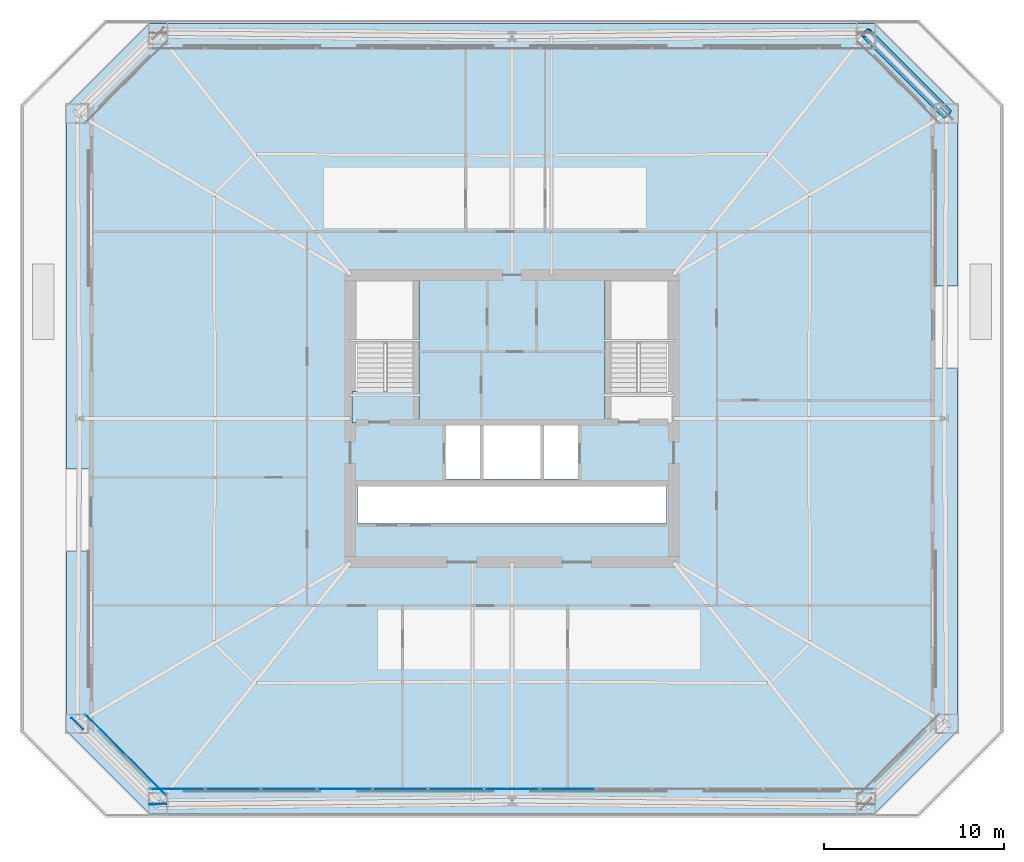
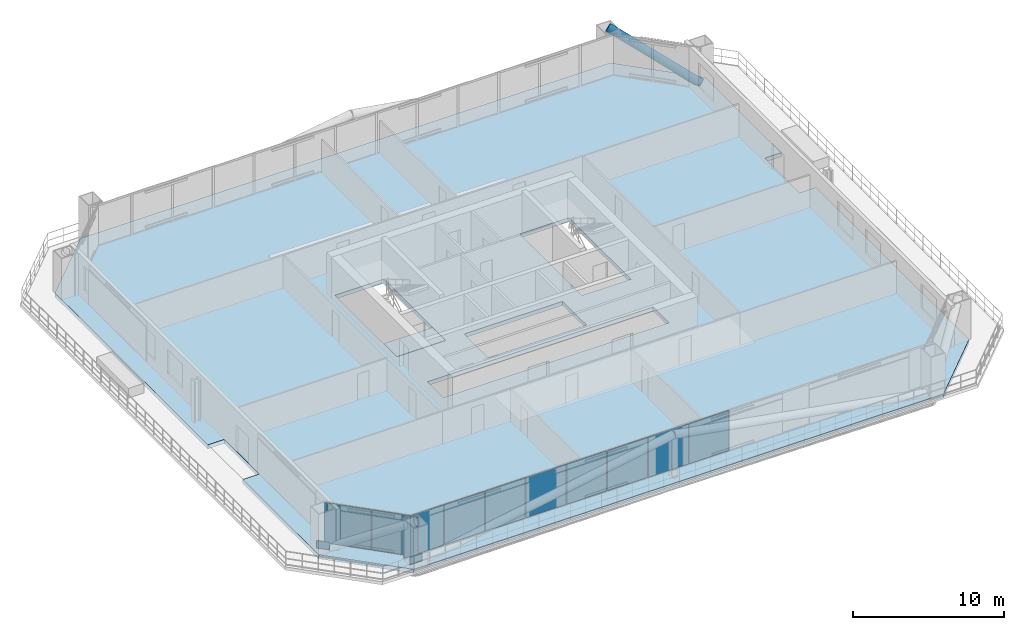
# One storey, part 26 of 34: 12 plates, 2 slabs, 1 member, 3 elements without a shape of their own.
"""IFC4 building model written with IfcOpenShell, lengths in metres."""

import ifcopenshell
import ifcopenshell.guid

model = None  # the IFC model being written
_history = None  # IfcOwnerHistory: only IFC2X3 demands one
_inside = {}  # id of a spatial element -> (the spatial element, [elements in it])
_under = {}  # id of a project, library or spatial element -> (it, [spatial elements below it])
_declared = {}  # id of a project -> (the project, [libraries it declares])
_typed = {}  # id of a type object -> (the type object, [elements of that type])
_made_of = {}  # id of a material, layer set ... -> (it, [elements and type objects made of it])


def new_model(schema):
    """Start an empty IFC model of exactly this schema.

    Asked for "IFC4X3", IfcOpenShell would pick the latest addendum, in which some entities
    have other attributes; the version numbers below select the first issue.
    IFC2X3 requires an IfcOwnerHistory on every rooted entity: one is made here for all.
    """
    global model, _history
    if schema == "IFC4X3":
        model = ifcopenshell.file(schema_version=(4, 3, 0, 0))
    else:
        model = ifcopenshell.file(schema=schema)
    _inside.clear()
    _under.clear()
    _declared.clear()
    _typed.clear()
    _made_of.clear()
    _history = None
    if model.schema == "IFC2X3":
        org = make("IfcOrganization", Name="unknown")
        user = make(
            "IfcPersonAndOrganization",
            ThePerson=make("IfcPerson", FamilyName="unknown"),
            TheOrganization=org,
        )
        app = make(
            "IfcApplication",
            ApplicationDeveloper=org,
            Version="unknown",
            ApplicationFullName="unknown",
            ApplicationIdentifier="unknown",
        )
        _history = make(
            "IfcOwnerHistory",
            OwningUser=user,
            OwningApplication=app,
            ChangeAction="ADDED",
            CreationDate=0,
        )
    return model


def make(cls, **values):
    """One entity of the class cls with the attributes given. An attribute that is None is left unset."""
    return model.create_entity(
        cls, **{name: value for name, value in values.items() if value is not None}
    )


def rooted(cls, **values):
    """An entity with a GlobalId (a new one), such as an element, a storey or a relation."""
    return make(cls, GlobalId=ifcopenshell.guid.new(), OwnerHistory=_history, **values)


def si_unit(unit_type, name, prefix=None):
    """IfcSIUnit, for example si_unit("LENGTHUNIT", "METRE", prefix="MILLI")."""
    return make("IfcSIUnit", UnitType=unit_type, Prefix=prefix, Name=name)


def assignment(units):
    """IfcUnitAssignment: the units of a project."""
    return None if units is None else make("IfcUnitAssignment", Units=units)


def point(xyz):
    """IfcCartesianPoint."""
    return None if xyz is None else make("IfcCartesianPoint", Coordinates=xyz)


def direction(xyz):
    """IfcDirection."""
    return None if xyz is None else make("IfcDirection", DirectionRatios=xyz)


def frame(location, z_axis=None, x_axis=None):
    """IfcAxis2Placement3D, a coordinate frame: its origin and axes. An axis left out is left unset."""
    return make(
        "IfcAxis2Placement3D",
        Location=point(location),
        Axis=direction(z_axis),
        RefDirection=direction(x_axis),
    )


def frame_2d(location, x_axis=None):
    """IfcAxis2Placement2D, a coordinate frame in the plane: its origin and x axis."""
    return make(
        "IfcAxis2Placement2D", Location=point(location), RefDirection=direction(x_axis)
    )


def origin():
    """The frame at (0, 0, 0) with its axes left unset."""
    return frame((0.0, 0.0, 0.0))


def origin_2d():
    """The frame at (0, 0) in the plane with its x axis left unset."""
    return frame_2d((0.0, 0.0))


def place(relative_to, where):
    """IfcLocalPlacement: puts the frame where relative to a parent placement (None: the world)."""
    return make(
        "IfcLocalPlacement", PlacementRelTo=relative_to, RelativePlacement=where
    )


def context(
    kind, dimensions, precision=None, world=None, true_north=None, identifier=None
):
    """IfcGeometricRepresentationContext, for example the 3D "Model" context."""
    return make(
        "IfcGeometricRepresentationContext",
        ContextIdentifier=identifier,
        ContextType=kind,
        CoordinateSpaceDimension=dimensions,
        Precision=precision,
        WorldCoordinateSystem=world,
        TrueNorth=true_north,
    )


def subcontext(parent, identifier, kind, view, scale=None):
    """IfcGeometricRepresentationSubContext, for example "Body" below "Model"."""
    return make(
        "IfcGeometricRepresentationSubContext",
        ContextIdentifier=identifier,
        ContextType=kind,
        ParentContext=parent,
        TargetScale=scale,
        TargetView=view,
    )


def project(units=None, contexts=None):
    """IfcProject with its units and contexts."""
    return rooted(
        "IfcProject",
        Name="project",
        RepresentationContexts=contexts,
        UnitsInContext=assignment(units),
    )


def spatial(cls, under=None, at=None, **own):
    """A site, building, storey or space (cls), placed at a placement, below another one or the project."""
    s = rooted(cls, ObjectPlacement=at, **own)
    if under is not None:
        _under.setdefault(under.id(), (under, []))[1].append(s)
    return s


def polyline(points):
    """IfcPolyline through the points."""
    return make("IfcPolyline", Points=[point(p) for p in points])


def profile(cls, at=None, kind="AREA", **sizes):
    """A parametric profile (cls). Its sizes go by their IFC names, for example OverallWidth=200.0."""
    return make(cls, ProfileType=kind, Position=at, **sizes)


def rectangle(**sizes):
    """IfcRectangleProfileDef."""
    return profile("IfcRectangleProfileDef", **sizes)


def hollow_circle(**sizes):
    """IfcCircleHollowProfileDef."""
    return profile("IfcCircleHollowProfileDef", **sizes)


def outline(outer, holes=None, kind="AREA"):
    """IfcArbitraryClosedProfileDef: a profile drawn as a closed curve; with holes, ...WithVoids."""
    if holes is None:
        return make("IfcArbitraryClosedProfileDef", ProfileType=kind, OuterCurve=outer)
    return make(
        "IfcArbitraryProfileDefWithVoids",
        ProfileType=kind,
        OuterCurve=outer,
        InnerCurves=holes,
    )


def extrude(swept, where, along, depth):
    """IfcExtrudedAreaSolid: the profile swept, set in the frame where, extruded along a direction by depth."""
    return make(
        "IfcExtrudedAreaSolid",
        SweptArea=swept,
        Position=where,
        ExtrudedDirection=direction(along),
        Depth=depth,
    )


def shape(context_of_items, identifier, shape_type, items):
    """IfcShapeRepresentation: the items that make up one representation, for example the "Body"."""
    return make(
        "IfcShapeRepresentation",
        ContextOfItems=context_of_items,
        RepresentationIdentifier=identifier,
        RepresentationType=shape_type,
        Items=items,
    )


def material(Name=None, Category=None):
    """IfcMaterial."""
    return make("IfcMaterial", Name=Name, Category=Category)


def layer(
    of_material, thickness, ventilated=None, Name=None, Category=None, Priority=None
):
    """IfcMaterialLayer: one layer of a wall or slab, of a material (None: an air gap)."""
    return make(
        "IfcMaterialLayer",
        Material=of_material,
        LayerThickness=thickness,
        IsVentilated=ventilated,
        Name=Name,
        Category=Category,
        Priority=Priority,
    )


def layer_set(layers, Name=None):
    """IfcMaterialLayerSet."""
    return make("IfcMaterialLayerSet", MaterialLayers=layers, LayerSetName=Name)


def material_profile(
    of_material, cross_section, Name=None, Category=None, Priority=None
):
    """IfcMaterialProfile: a cross section and its material."""
    return make(
        "IfcMaterialProfile",
        Name=Name,
        Material=of_material,
        Profile=cross_section,
        Priority=Priority,
        Category=Category,
    )


def profile_set(profiles, Name=None, composite=None):
    """IfcMaterialProfileSet."""
    return make(
        "IfcMaterialProfileSet",
        Name=Name,
        MaterialProfiles=profiles,
        CompositeProfile=composite,
    )


def made_of(thing, what):
    """Note that an element or type object is made of a material, layer set ...; save() writes the relation."""
    if what is not None:
        _made_of.setdefault(what.id(), (what, []))[1].append(thing)
    return thing


def type_object(cls, material=None, **own):
    """A type object (cls), such as IfcWallType, which elements share."""
    return made_of(rooted(cls, **own), material)


def element(
    cls,
    number,
    at=None,
    inside=None,
    cuts=None,
    type_object=None,
    material=None,
    context=None,
    identifier="Body",
    shape_type=None,
    held_by="IfcProductDefinitionShape",
    body=None,
    shapes=None,
    **own,
):
    """One element of the class cls, such as IfcWall. Its Tag is "e" and its number.

    at: its placement. inside: the storey or other place that contains it. cuts: it is an
    opening in that element (IfcRelVoidsElement). A single representation is given by context,
    identifier, shape_type and body (its items); several are given by shapes. held_by: the class
    of the entity that holds the representations. save() writes the other relations.
    """
    e = rooted(cls, Tag="e%d" % number, ObjectPlacement=at, **own)
    if body is not None:
        shapes = [shape(context, identifier, shape_type, body)]
    if shapes is not None:
        e.Representation = make(held_by, Representations=shapes)
    if inside is not None:
        _inside.setdefault(inside.id(), (inside, []))[1].append(e)
    if cuts is not None:
        rooted(
            "IfcRelVoidsElement", RelatingBuildingElement=cuts, RelatedOpeningElement=e
        )
    if type_object is not None:
        _typed.setdefault(type_object.id(), (type_object, []))[1].append(e)
    return made_of(e, material)


def aggregate(whole, parts):
    """IfcRelAggregates: a whole, such as a stair, and the parts it consists of."""
    return rooted("IfcRelAggregates", RelatingObject=whole, RelatedObjects=parts)


def save(model, path):
    """Write the relations noted so far, then the file.

    IfcRelAggregates (storeys below a building ...), IfcRelContainedInSpatialStructure (elements
    in a storey), IfcRelDefinesByType, IfcRelAssociatesMaterial and IfcRelDeclares: one each for
    every whole, place, type object, material and project.
    """
    for whole, parts in _under.values():
        aggregate(whole, parts)
    for where, things in _inside.values():
        rooted(
            "IfcRelContainedInSpatialStructure",
            RelatedElements=things,
            RelatingStructure=where,
        )
    for kind, things in _typed.values():
        rooted("IfcRelDefinesByType", RelatedObjects=things, RelatingType=kind)
    for what, things in _made_of.values():
        rooted("IfcRelAssociatesMaterial", RelatedObjects=things, RelatingMaterial=what)
    for by, libraries in _declared.values():
        rooted("IfcRelDeclares", RelatingContext=by, RelatedDefinitions=libraries)
    model.write(path)


model = new_model("IFC4")

# Units and contexts
model_context = context("Model", 3, precision=1e-05, world=origin(), true_north=direction((0.0, 1.0)))
body_context = subcontext(model_context, "Body", "Model", "MODEL_VIEW")
ifc_project = project(units=[si_unit("LENGTHUNIT", "METRE"), si_unit("AREAUNIT", "SQUARE_METRE"), si_unit("VOLUMEUNIT", "CUBIC_METRE"), si_unit("PLANEANGLEUNIT", "RADIAN"), si_unit("MASSUNIT", "GRAM", prefix="KILO")], contexts=[model_context])

# Site, building, storey
site_placement = place(None, origin())
site = spatial("IfcSite", under=ifc_project, at=site_placement, CompositionType="ELEMENT")
building_placement = place(site_placement, origin())
building = spatial("IfcBuilding", under=site, at=building_placement, Name="Caelvoria Tower", CompositionType="ELEMENT")
storey_placement = place(building_placement, frame((0.0, 0.0, 28.0)))
storey = spatial("IfcBuildingStorey", under=building, at=storey_placement, Name="L06", CompositionType="ELEMENT", Elevation=28.0)

# Member
ifc_material_1 = material(Name="Structural Steel ASTM A572 Gr.50", Category="steel")
ifc_material_profile = material_profile(ifc_material_1, hollow_circle(Radius=0.304931640625, WallThickness=0.02490234375, at=origin_2d()), Name="Structural Steel ASTM A572 Gr.50")
ifc_profile_set = profile_set([ifc_material_profile], Name="CHS610X25 - Structural Steel ASTM A572 Gr.50")
member_type = type_object("IfcMemberType", Name="Lower Perimeter Mega Brace CHS610X25", PredefinedType="BRACE", material=ifc_profile_set)
member_placement = place(storey_placement, frame((70.210693359375, 48.986572265625, 0.0), z_axis=(-0.626042587812, 0.623969711632, 0.467688440322), x_axis=(-0.705933226257, -0.708278391642, 0.0)))
element("IfcMember", 1, at=member_placement, inside=storey, type_object=member_type, Name="Perimeter Chamfer Mega Brace L06 NE", PredefinedType="BRACE", context=body_context, shape_type="SweptSolid", body=[
    extrude(hollow_circle(Radius=0.304931640625, WallThickness=0.02490234375, at=origin_2d()), origin(), (0.0, 0.0, 1.0), 7.1845703125),
])

# Curtain wall, plates
ifc_material_2 = material(Name="Anodised Bronze Aluminium and Low-E Glass", Category="aluminium")
ifc_layer_1 = layer(ifc_material_2, 0.18505859375, Name="Anodised Bronze Aluminium and Low-E Glass")
ifc_layer_set_1 = layer_set([ifc_layer_1], Name="CW System 2 Lower Tower Bronze Unitised Facade - Anodised Bronze Aluminium and Low-E Glass")
curtain_wall_type = type_object("IfcCurtainWallType", Name="CW System 2 Lower Tower Bronze Unitised Facade", PredefinedType="NOTDEFINED", material=ifc_layer_set_1)
curtain_wall_1_placement = place(storey_placement, origin())
curtain_wall_1 = element("IfcCurtainWall", 2, at=curtain_wall_1_placement, inside=storey, type_object=curtain_wall_type, Name="CW-02 Curtain Wall L06-E0", PredefinedType="NOTDEFINED")
ifc_material_3 = material(Name="Anodised Bronze Insulated Aluminium Panel", Category="aluminium")
ifc_layer_2 = layer(ifc_material_3, 0.031982421875, Name="Anodised Bronze Insulated Aluminium Panel")
ifc_layer_set_2 = layer_set([ifc_layer_2], Name="Insulated Bronze Spandrel Curtain Panel 32 - Anodised Bronze Insulated Aluminium Panel")
plate_type_1 = type_object("IfcPlateType", Name="Insulated Bronze Spandrel Curtain Panel 32", PredefinedType="CURTAIN_PANEL", material=ifc_layer_set_2)
plate_1_placement = place(storey_placement, frame((27.3701171875, 11.3798828125, 0.06494140625), z_axis=(0.0, 0.0, 1.0), x_axis=(1.0, 0.0, 0.0)))
plate_1 = element("IfcPlate", 3, at=plate_1_placement, type_object=plate_type_1, Name="CW-02 panel 1.1", PredefinedType="CURTAIN_PANEL", context=body_context, shape_type="SweptSolid", body=[
    extrude(rectangle(XDim=3.01025390625, YDim=0.031982421875, at=origin_2d()), origin(), (0.0, 0.0, 1.0), 3.22998046875),
])
plate_2_placement = place(storey_placement, frame((30.46142578125, 11.3798828125, 0.06494140625), z_axis=(0.0, 0.0, 1.0), x_axis=(1.0, 0.0, 0.0)))
plate_2 = element("IfcPlate", 4, at=plate_2_placement, type_object=plate_type_1, Name="CW-02 panel 2.1", PredefinedType="CURTAIN_PANEL", context=body_context, shape_type="SweptSolid", body=[
    extrude(rectangle(XDim=3.042724609375, YDim=0.031982421875, at=origin_2d()), origin(), (0.0, 0.0, 1.0), 3.22998046875),
])
plate_3_placement = place(storey_placement, frame((33.5693359375, 11.3798828125, 0.06494140625), z_axis=(0.0, 0.0, 1.0), x_axis=(1.0, 0.0, 0.0)))
plate_3 = element("IfcPlate", 5, at=plate_3_placement, type_object=plate_type_1, Name="CW-02 panel 3.1", PredefinedType="CURTAIN_PANEL", context=body_context, shape_type="SweptSolid", body=[
    extrude(rectangle(XDim=3.042724609375, YDim=0.031982421875, at=origin_2d()), origin(), (0.0, 0.0, 1.0), 3.22998046875),
])
plate_4_placement = place(storey_placement, frame((36.677001953125, 11.3798828125, 0.06494140625), z_axis=(0.0, 0.0, 1.0), x_axis=(1.0, 0.0, 0.0)))
plate_4 = element("IfcPlate", 6, at=plate_4_placement, type_object=plate_type_1, Name="CW-02 panel 4.1", PredefinedType="CURTAIN_PANEL", context=body_context, shape_type="SweptSolid", body=[
    extrude(rectangle(XDim=3.042724609375, YDim=0.031982421875, at=origin_2d()), origin(), (0.0, 0.0, 1.0), 3.22998046875),
])
plate_5_placement = place(storey_placement, frame((39.78466796875, 11.3798828125, 0.06494140625), z_axis=(0.0, 0.0, 1.0), x_axis=(1.0, 0.0, 0.0)))
plate_5 = element("IfcPlate", 7, at=plate_5_placement, type_object=plate_type_1, Name="CW-02 panel 5.1", PredefinedType="CURTAIN_PANEL", context=body_context, shape_type="SweptSolid", body=[
    extrude(rectangle(XDim=3.042724609375, YDim=0.031982421875, at=origin_2d()), origin(), (0.0, 0.0, 1.0), 3.22998046875),
])
plate_6_placement = place(storey_placement, frame((42.892333984375, 11.3798828125, 0.06494140625), z_axis=(0.0, 0.0, 1.0), x_axis=(1.0, 0.0, 0.0)))
plate_6 = element("IfcPlate", 8, at=plate_6_placement, type_object=plate_type_1, Name="CW-02 panel 6.1", PredefinedType="CURTAIN_PANEL", context=body_context, shape_type="SweptSolid", body=[
    extrude(rectangle(XDim=3.042724609375, YDim=0.031982421875, at=origin_2d()), origin(), (0.0, 0.0, 1.0), 3.22998046875),
])
plate_7_placement = place(storey_placement, frame((46.0, 11.3798828125, 0.06494140625), z_axis=(0.0, 0.0, 1.0), x_axis=(1.0, 0.0, 0.0)))
plate_7 = element("IfcPlate", 9, at=plate_7_placement, type_object=plate_type_1, Name="CW-02 panel 7.1", PredefinedType="CURTAIN_PANEL", context=body_context, shape_type="SweptSolid", body=[
    extrude(rectangle(XDim=3.042724609375, YDim=0.031982421875, at=origin_2d()), origin(), (0.0, 0.0, 1.0), 3.22998046875),
])
plate_8_placement = place(storey_placement, frame((49.107666015625, 11.3798828125, 0.06494140625), z_axis=(0.0, 0.0, 1.0), x_axis=(1.0, 0.0, 0.0)))
plate_8 = element("IfcPlate", 10, at=plate_8_placement, type_object=plate_type_1, Name="CW-02 panel 8.1", PredefinedType="CURTAIN_PANEL", context=body_context, shape_type="SweptSolid", body=[
    extrude(rectangle(XDim=3.042724609375, YDim=0.031982421875, at=origin_2d()), origin(), (0.0, 0.0, 1.0), 3.22998046875),
])
aggregate(curtain_wall_1, [plate_1, plate_2, plate_3, plate_4, plate_5, plate_6, plate_7, plate_8])

curtain_wall_2_placement = place(storey_placement, origin())
curtain_wall_2 = element("IfcCurtainWall", 11, at=curtain_wall_2_placement, inside=storey, type_object=curtain_wall_type, Name="CW-02 Curtain Wall L06-E7", PredefinedType="NOTDEFINED")
plate_9_placement = place(storey_placement, frame((23.33740234375, 14.414306640625, 0.06494140625), z_axis=(0.0, 0.0, 1.0), x_axis=(0.707106781187, -0.707106781187, 0.0)))
plate_9 = element("IfcPlate", 12, at=plate_9_placement, type_object=plate_type_1, Name="CW-02 panel 1.1", PredefinedType="CURTAIN_PANEL", context=body_context, shape_type="SweptSolid", body=[
    extrude(rectangle(XDim=3.1552734375, YDim=0.031982421875, at=origin_2d()), origin(), (0.0, 0.0, 1.0), 3.22998046875),
])
plate_10_placement = place(storey_placement, frame((25.6142578125, 12.13720703125, 0.06494140625), z_axis=(0.0, 0.0, 1.0), x_axis=(0.707106781187, -0.707106781187, 0.0)))
plate_10 = element("IfcPlate", 13, at=plate_10_placement, type_object=plate_type_1, Name="CW-02 panel 2.1", PredefinedType="CURTAIN_PANEL", context=body_context, shape_type="SweptSolid", body=[
    extrude(rectangle(XDim=3.1552734375, YDim=0.031982421875, at=origin_2d()), origin(), (0.0, 0.0, 1.0), 3.22998046875),
])
aggregate(curtain_wall_2, [plate_9, plate_10])

# Plates
ifc_layer_3 = layer(ifc_material_1, 0.0400390625, Name="Structural Steel ASTM A572 Gr.50")
ifc_layer_set_3 = layer_set([ifc_layer_3], Name="Megaframe Node Gusset Plate 900x600x40 - Structural Steel ASTM A572 Gr.50")
plate_type_2 = type_object("IfcPlateType", Name="Megaframe Node Gusset Plate 900x600x40", PredefinedType="USERDEFINED", material=ifc_layer_set_3)
for number, where, z_axis, x_axis, name in (
    (14, (21.789306640625, 15.013427734375, 0.02001953125), (0.0, 0.0, 1.0), (0.708247433284, -0.705964286099, 0.0), "Chamfer Mega Brace Gusset L06 SW"),
    (15, (26.287109375, 10.530517578125, 0.050048828125), (0.0, 0.0, 1.0), (0.999953742494, 0.009618361198, 0.0), "Megaframe Node Gusset Plate ND-01"),
):
    element("IfcPlate", number, at=place(storey_placement, frame(where, z_axis=z_axis, x_axis=x_axis)), inside=storey, type_object=plate_type_2, Name=name, ObjectType="GUSSET_PLATE", PredefinedType="USERDEFINED", context=body_context, shape_type="SweptSolid", body=[
        extrude(rectangle(XDim=0.89990234375, YDim=0.0400390625, at=origin_2d()), origin(), (0.0, 0.0, 1.0), 0.60009765625),
    ])

# Slab
ifc_material_4 = material(Name="Concrete C50/60", Category="concrete")
ifc_layer_4 = layer(ifc_material_4, 0.320068359375, Name="Concrete C50/60")
ifc_layer_set_4 = layer_set([ifc_layer_4], Name="Plant and Sky Lobby Heavy Slab 320 - Concrete C50/60")
slab_type_1 = type_object("IfcSlabType", Name="Plant and Sky Lobby Heavy Slab 320", PredefinedType="FLOOR", material=ifc_layer_set_4)
slab_1_placement = place(storey_placement, frame((0.0, 0.0, -0.320068359375)))
element("IfcSlab", 16, at=slab_1_placement, inside=storey, type_object=slab_type_1, Name="Level L06 Structural Floor Slab", PredefinedType="FLOOR", context=body_context, shape_type="SweptSolid", body=[
    extrude(outline(polyline([(21.199951171875, 49.39990234375), (21.199951171875, 29.199951171875), (22.4599609375, 29.199951171875), (22.4599609375, 24.60009765625), (21.199951171875, 24.60009765625), (21.199951171875, 14.60009765625), (25.800048828125, 10.0), (66.199951171875, 10.0), (70.800048828125, 14.60009765625), (70.800048828125, 34.800048828125), (69.5400390625, 34.800048828125), (69.5400390625, 39.39990234375), (70.800048828125, 39.39990234375), (70.800048828125, 49.39990234375), (66.199951171875, 54.0), (25.800048828125, 54.0), (21.199951171875, 49.39990234375)]), holes=[polyline([(37.080078125, 31.75), (40.820068359375, 31.75), (40.820068359375, 39.919921875), (37.080078125, 39.919921875), (37.080078125, 31.75)]), polyline([(51.179931640625, 31.75), (54.919921875, 31.75), (54.919921875, 39.919921875), (51.179931640625, 39.919921875), (51.179931640625, 31.75)]), polyline([(42.25, 28.64990234375), (49.75, 28.64990234375), (49.75, 31.800048828125), (42.25, 31.800048828125), (42.25, 28.64990234375)]), polyline([(37.39990234375, 26.14990234375), (54.60009765625, 26.14990234375), (54.60009765625, 28.25), (37.39990234375, 28.25), (37.39990234375, 26.14990234375)])]), origin(), (0.0, 0.0, 1.0), 0.320068359375),
])

# Stair, slab
ifc_material_5 = material(Name="Concrete C40/50", Category="concrete")
stair_type = type_object("IfcStairType", Name="Core Smokeproof Dogleg Stair Concrete C40/50", PredefinedType="HALF_TURN_STAIR", material=ifc_material_5)
stair_placement = place(storey_placement, origin())
stair = element("IfcStair", 17, at=stair_placement, inside=storey, type_object=stair_type, Name="ST-01 Smokeproof Exit Stair L06", PredefinedType="HALF_TURN_STAIR")
ifc_layer_5 = layer(ifc_material_5, 0.199951171875, Name="Concrete C40/50")
ifc_layer_set_5 = layer_set([ifc_layer_5], Name="Stair Half and Floor Landing Slab 200 Concrete C40/50 - Concrete C40/50")
slab_type_2 = type_object("IfcSlabType", Name="Stair Half and Floor Landing Slab 200 Concrete C40/50", PredefinedType="LANDING", material=ifc_layer_set_5)
slab_2_placement = place(storey_placement, frame((0.0, 0.0, -0.199951171875)))
slab_2 = element("IfcSlab", 18, at=slab_2_placement, type_object=slab_type_2, Name="ST-01 landing 1", PredefinedType="LANDING", context=body_context, shape_type="SweptSolid", body=[
    extrude(outline(polyline([(37.10009765625, 31.77001953125), (40.800048828125, 31.77001953125), (40.800048828125, 33.5), (37.10009765625, 33.5), (37.10009765625, 31.77001953125)])), origin(), (0.0, 0.0, 1.0), 0.199951171875),
])
aggregate(stair, [slab_2])

save(model, "model.ifc")
